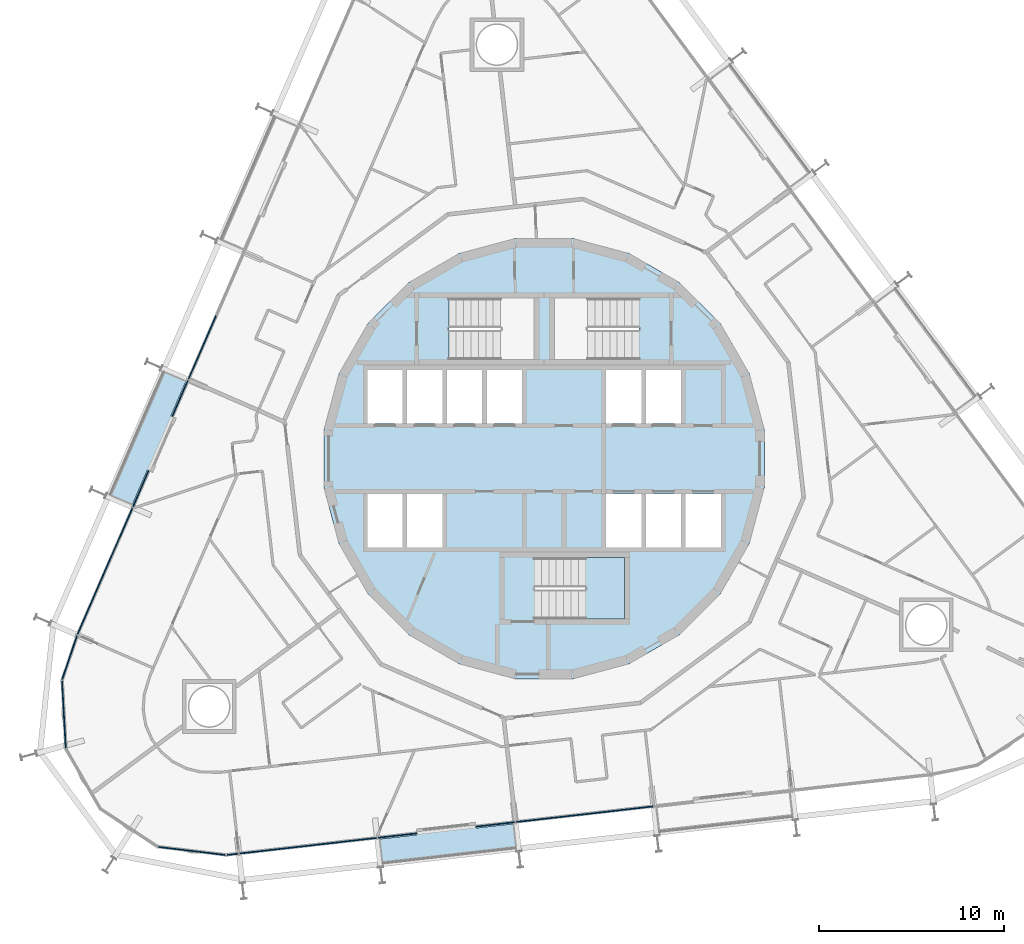
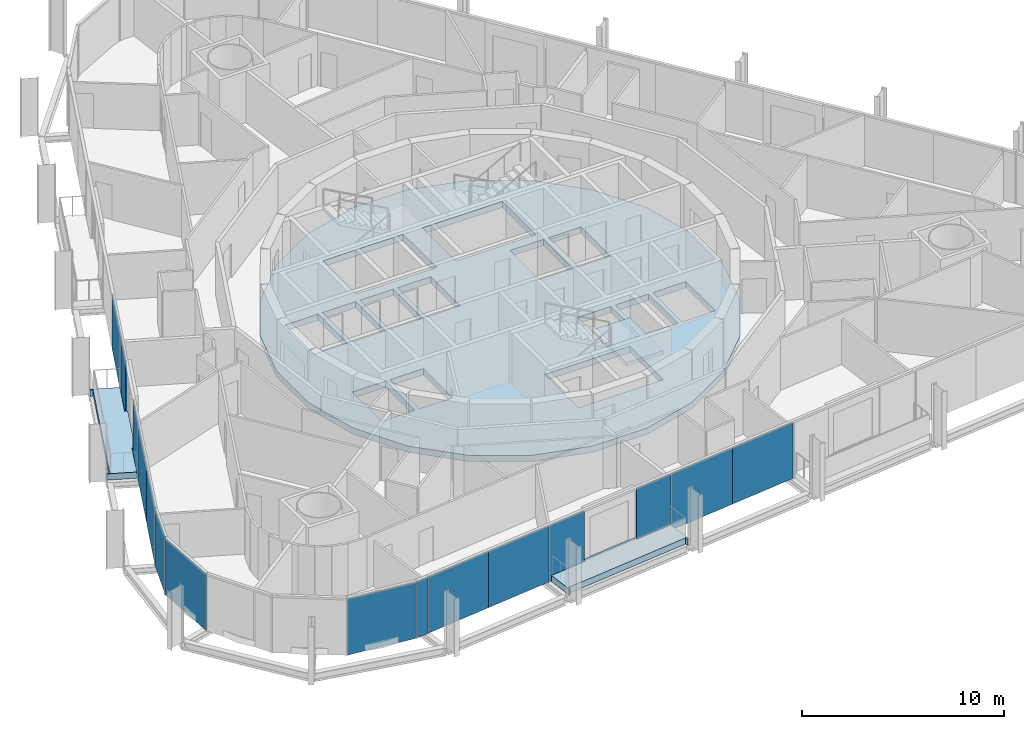
# One storey, part 13 of 23: 15 plates, 4 slabs, 4 elements without a shape of their own.
"""IFC4 building model written with IfcOpenShell, lengths in metres."""

from ifc_helpers import new_model, si_unit, direction, frame, origin, origin_2d, place, context, subcontext, project, spatial, polyline, rectangle, outline, extrude, material, layer, layer_set, type_object, element, aggregate, save


model = new_model("IFC4")

# Units and contexts
model_context = context("Model", 3, precision=1e-05, world=origin(), true_north=direction((0.0, 1.0)))
body_context = subcontext(model_context, "Body", "Model", "MODEL_VIEW")
ifc_project = project(units=[si_unit("LENGTHUNIT", "METRE"), si_unit("AREAUNIT", "SQUARE_METRE"), si_unit("VOLUMEUNIT", "CUBIC_METRE"), si_unit("PLANEANGLEUNIT", "RADIAN"), si_unit("MASSUNIT", "GRAM", prefix="KILO")], contexts=[model_context])

# Site, building, storey
site_placement = place(None, origin())
site = spatial("IfcSite", under=ifc_project, at=site_placement, CompositionType="ELEMENT")
building_placement = place(site_placement, origin())
building = spatial("IfcBuilding", under=site, at=building_placement, Name="Spindle Arch Residences", CompositionType="ELEMENT")
storey_placement = place(building_placement, frame((0.0, 0.0, 83.699951171875)))
storey = spatial("IfcBuildingStorey", under=building, at=storey_placement, Name="L19", CompositionType="ELEMENT", Elevation=83.699951171875)

# Slabs
ifc_material_1 = material(Name="Concrete C40/50", Category="concrete")
ifc_layer_1 = layer(ifc_material_1, 0.3798828125)
ifc_layer_set_1 = layer_set([ifc_layer_1], Name="Balcony slab 380")
slab_type_1 = type_object("IfcSlabType", Name="Balcony slab 380", PredefinedType="FLOOR", material=ifc_layer_set_1)
slab_1_placement = place(storey_placement, frame((0.0, 0.0, -0.3798828125)))
element("IfcSlab", 1, at=slab_1_placement, inside=storey, type_object=slab_type_1, Name="Balcony L19 bay 17", PredefinedType="FLOOR", context=body_context, shape_type="SweptSolid", body=[
    extrude(outline(polyline([(-20.702392578125, 4.820556640625), (-20.732421875, 4.751708984375), (-20.5947265625, 4.69189453125), (-23.47314453125, -1.92822265625), (-23.61083984375, -1.868408203125), (-23.640625, -1.937255859375), (-22.2744140625, -2.53125), (-21.443115234375, -0.619873046875), (-21.29638671875, -0.68359375), (-20.0205078125, 2.2509765625), (-20.167236328125, 2.314697265625), (-19.3359375, 4.226318359375), (-20.702392578125, 4.820556640625)])), origin(), (0.0, 0.0, 1.0), 0.3798828125),
])
slab_2_placement = place(storey_placement, frame((0.0, 0.0, -0.3798828125)))
element("IfcSlab", 2, at=slab_2_placement, inside=storey, type_object=slab_type_1, Name="Balcony L19 bay 23", PredefinedType="FLOOR", context=body_context, shape_type="SweptSolid", body=[
    extrude(outline(polyline([(-8.764404296875, -22.041259765625), (-8.68994140625, -22.032958984375), (-8.706787109375, -21.8837890625), (-1.534423828125, -21.066650390625), (-1.517578125, -21.215576171875), (-1.44287109375, -21.207275390625), (-1.611572265625, -19.726806640625), (-3.6826171875, -19.962646484375), (-3.70068359375, -19.8037109375), (-6.880126953125, -20.166015625), (-6.862060546875, -20.324951171875), (-8.93310546875, -20.56103515625), (-8.764404296875, -22.041259765625)])), origin(), (0.0, 0.0, 1.0), 0.3798828125),
])
ifc_material_2 = material(Name="Concrete C50/60", Category="concrete")
ifc_layer_2 = layer(ifc_material_2, 0.3798828125)
ifc_layer_set_2 = layer_set([ifc_layer_2], Name="Core floor slab 380")
slab_type_2 = type_object("IfcSlabType", Name="Core floor slab 380", PredefinedType="FLOOR", material=ifc_layer_set_2)
slab_3_placement = place(storey_placement, frame((0.0, 0.0, -0.3798828125)))
element("IfcSlab", 3, at=slab_3_placement, inside=storey, type_object=slab_type_2, Name="Core floor L19", PredefinedType="FLOOR", context=body_context, shape_type="SweptSolid", body=[
    extrude(outline(polyline([(1.56640625, -11.897216796875), (4.59228515625, -11.086669921875), (7.30517578125, -9.520263671875), (9.520263671875, -7.30517578125), (11.086669921875, -4.59228515625), (11.897216796875, -1.56640625), (11.897216796875, 1.56640625), (11.086669921875, 4.59228515625), (9.520263671875, 7.30517578125), (7.30517578125, 9.520263671875), (4.59228515625, 11.086669921875), (1.56640625, 11.897216796875), (-1.56640625, 11.897216796875), (-4.59228515625, 11.086669921875), (-7.30517578125, 9.520263671875), (-9.520263671875, 7.30517578125), (-11.086669921875, 4.59228515625), (-11.897216796875, 1.56640625), (-11.897216796875, -1.56640625), (-11.086669921875, -4.59228515625), (-9.520263671875, -7.30517578125), (-7.30517578125, -9.520263671875), (-4.59228515625, -11.086669921875), (-1.56640625, -11.897216796875), (1.56640625, -11.897216796875)]), holes=[polyline([(-9.550048828125, 1.89990234375), (-7.64990234375, 1.89990234375), (-7.64990234375, 4.800048828125), (-9.550048828125, 4.800048828125), (-9.550048828125, 1.89990234375)]), polyline([(-7.39990234375, 1.89990234375), (-5.5, 1.89990234375), (-5.5, 4.800048828125), (-7.39990234375, 4.800048828125), (-7.39990234375, 1.89990234375)]), polyline([(-5.25, 1.89990234375), (-3.35009765625, 1.89990234375), (-3.35009765625, 4.800048828125), (-5.25, 4.800048828125), (-5.25, 1.89990234375)]), polyline([(-3.10009765625, 1.89990234375), (-1.199951171875, 1.89990234375), (-1.199951171875, 4.800048828125), (-3.10009765625, 4.800048828125), (-3.10009765625, 1.89990234375)]), polyline([(3.35009765625, 1.89990234375), (5.25, 1.89990234375), (5.25, 4.800048828125), (3.35009765625, 4.800048828125), (3.35009765625, 1.89990234375)]), polyline([(5.5, 1.89990234375), (7.39990234375, 1.89990234375), (7.39990234375, 4.800048828125), (5.5, 4.800048828125), (5.5, 1.89990234375)]), polyline([(-9.550048828125, -4.800048828125), (-7.64990234375, -4.800048828125), (-7.64990234375, -1.89990234375), (-9.550048828125, -1.89990234375), (-9.550048828125, -4.800048828125)]), polyline([(-7.39990234375, -4.800048828125), (-5.5, -4.800048828125), (-5.5, -1.89990234375), (-7.39990234375, -1.89990234375), (-7.39990234375, -4.800048828125)]), polyline([(3.35009765625, -4.800048828125), (5.25, -4.800048828125), (5.25, -1.89990234375), (3.35009765625, -1.89990234375), (3.35009765625, -4.800048828125)]), polyline([(5.5, -4.800048828125), (7.39990234375, -4.800048828125), (7.39990234375, -1.89990234375), (5.5, -1.89990234375), (5.5, -4.800048828125)]), polyline([(7.64990234375, -4.800048828125), (9.550048828125, -4.800048828125), (9.550048828125, -1.89990234375), (7.64990234375, -1.89990234375), (7.64990234375, -4.800048828125)]), polyline([(5.1298828125, 8.669921875), (0.550048828125, 8.669921875), (0.550048828125, 5.35009765625), (5.1298828125, 5.35009765625), (5.1298828125, 8.669921875)]), polyline([(-5.1298828125, 5.35009765625), (-0.550048828125, 5.35009765625), (-0.550048828125, 8.669921875), (-5.1298828125, 8.669921875), (-5.1298828125, 5.35009765625)]), polyline([(-0.530029296875, -8.669921875), (4.35009765625, -8.669921875), (4.35009765625, -5.35009765625), (-0.530029296875, -5.35009765625), (-0.530029296875, -8.669921875)])]), origin(), (0.0, 0.0, 1.0), 0.3798828125),
])

# Stair, slab
ifc_material_3 = material(Name="Concrete C50/60", Category="concrete")
stair_type = type_object("IfcStairType", Name="Exit stair 16 risers", PredefinedType="HALF_TURN_STAIR", material=ifc_material_3)
stair_placement = place(storey_placement, origin())
stair = element("IfcStair", 4, at=stair_placement, inside=storey, type_object=stair_type, Name="L19 Exit stair ST3", PredefinedType="HALF_TURN_STAIR")
ifc_material_4 = material(Name="Concrete C50/60", Category="concrete")
ifc_layer_3 = layer(ifc_material_4, 0.219970703125)
ifc_layer_set_3 = layer_set([ifc_layer_3], Name="Exit stair landing 220")
slab_type_3 = type_object("IfcSlabType", Name="Exit stair landing 220", PredefinedType="LANDING", material=ifc_layer_set_3)
slab_4_placement = place(storey_placement, frame((0.0, 0.0, 1.530029296875)))
slab_4 = element("IfcSlab", 5, at=slab_4_placement, type_object=slab_type_3, Name="ST3 landing 1", PredefinedType="LANDING", context=body_context, shape_type="SweptSolid", body=[
    extrude(outline(polyline([(2.22998046875, -8.669921875), (4.35009765625, -8.669921875), (4.35009765625, -5.35009765625), (2.22998046875, -5.35009765625), (2.22998046875, -8.669921875)])), origin(), (0.0, 0.0, 1.0), 0.219970703125),
])
aggregate(stair, [slab_4])

# Curtain wall, plates
ifc_material_5 = material(Name="Aluminium bronze unitised frame with tinted glass", Category="aluminium")
ifc_layer_4 = layer(ifc_material_5, 0.159912109375)
ifc_layer_set_4 = layer_set([ifc_layer_4], Name="CW-C typical residential unitised wall")
curtain_wall_type_1 = type_object("IfcCurtainWallType", Name="CW-C typical residential unitised wall", PredefinedType="NOTDEFINED", material=ifc_layer_set_4)
curtain_wall_1_placement = place(storey_placement, origin())
curtain_wall_1 = element("IfcCurtainWall", 6, at=curtain_wall_1_placement, inside=storey, type_object=curtain_wall_type_1, Name="CW-C L19 run 4", PredefinedType="NOTDEFINED")
ifc_material_6 = material(Name="Tinted double glazing over aluminium faced non-combustible spandrel zone (K0)", Category="aluminium")
ifc_layer_5 = layer(ifc_material_6, 0.06005859375)
ifc_layer_set_5 = layer_set([ifc_layer_5], Name="Unitised glass panel with E 60 spandrel zone")
plate_type = type_object("IfcPlateType", Name="Unitised glass panel with E 60 spandrel zone", PredefinedType="CURTAIN_PANEL", material=ifc_layer_set_5)
plate_1_placement = place(storey_placement, frame((-18.477294921875, 6.000732421875, -0.3798828125), z_axis=(0.0, 0.0, 1.0), x_axis=(-0.398749068925, -0.917060074385, 0.0)))
plate_1 = element("IfcPlate", 7, at=plate_1_placement, type_object=plate_type, Name="CW-C unit 15B", PredefinedType="CURTAIN_PANEL", context=body_context, shape_type="SweptSolid", body=[
    extrude(rectangle(XDim=3.7294921875, YDim=0.06005859375, at=origin_2d()), origin(), (0.0, 0.0, 1.0), 3.3798828125),
])
plate_2_placement = place(storey_placement, frame((-19.669189453125, 3.25927734375, -0.3798828125), z_axis=(0.0, 0.0, 1.0), x_axis=(-0.398749068925, -0.917060074385, 0.0)))
plate_2 = element("IfcPlate", 8, at=plate_2_placement, type_object=plate_type, Name="CW-C unit 16L", PredefinedType="CURTAIN_PANEL", context=body_context, shape_type="SweptSolid", body=[
    extrude(rectangle(XDim=2.12939453125, YDim=0.06005859375, at=origin_2d()), origin(), (0.0, 0.0, 1.0), 3.3798828125),
])
plate_3_placement = place(storey_placement, frame((-21.79443359375, -1.628173828125, -0.3798828125), z_axis=(0.0, 0.0, 1.0), x_axis=(-0.398749068925, -0.917060074385, 0.0)))
plate_3 = element("IfcPlate", 9, at=plate_3_placement, type_object=plate_type, Name="CW-C unit 16R", PredefinedType="CURTAIN_PANEL", context=body_context, shape_type="SweptSolid", body=[
    extrude(rectangle(XDim=2.12939453125, YDim=0.06005859375, at=origin_2d()), origin(), (0.0, 0.0, 1.0), 3.3798828125),
])
plate_4_placement = place(storey_placement, frame((-22.986328125, -4.36962890625, -0.3798828125), z_axis=(0.0, 0.0, 1.0), x_axis=(-0.398749068925, -0.917060074385, 0.0)))
plate_4 = element("IfcPlate", 10, at=plate_4_placement, type_object=plate_type, Name="CW-C unit 17A", PredefinedType="CURTAIN_PANEL", context=body_context, shape_type="SweptSolid", body=[
    extrude(rectangle(XDim=3.7294921875, YDim=0.06005859375, at=origin_2d()), origin(), (0.0, 0.0, 1.0), 3.3798828125),
])
plate_5_placement = place(storey_placement, frame((-24.473388671875, -7.78955078125, -0.3798828125), z_axis=(0.0, 0.0, 1.0), x_axis=(-0.398749068925, -0.917060074385, 0.0)))
plate_5 = element("IfcPlate", 11, at=plate_5_placement, type_object=plate_type, Name="CW-C unit 17B", PredefinedType="CURTAIN_PANEL", context=body_context, shape_type="SweptSolid", body=[
    extrude(rectangle(XDim=3.7294921875, YDim=0.06005859375, at=origin_2d()), origin(), (0.0, 0.0, 1.0), 3.3798828125),
])
aggregate(curtain_wall_1, [plate_1, plate_2, plate_3, plate_4, plate_5])

ifc_material_7 = material(Name="Aluminium bronze unitised frame with tinted glass", Category="aluminium")
ifc_layer_6 = layer(ifc_material_7, 0.159912109375)
ifc_layer_set_6 = layer_set([ifc_layer_6], Name="CW-D corner wall on the fillet arcs")
curtain_wall_type_2 = type_object("IfcCurtainWallType", Name="CW-D corner wall on the fillet arcs", PredefinedType="NOTDEFINED", material=ifc_layer_set_6)
curtain_wall_2_placement = place(storey_placement, origin())
curtain_wall_2 = element("IfcCurtainWall", 12, at=curtain_wall_2_placement, inside=storey, type_object=curtain_wall_type_2, Name="CW-D L19 run 5", PredefinedType="NOTDEFINED")
plate_6_placement = place(storey_placement, frame((-25.640380859375, -10.746826171875, -0.3798828125), z_axis=(0.0, 0.0, 1.0), x_axis=(-0.319727106941, -0.947509671237, 0.0)))
plate_6 = element("IfcPlate", 13, at=plate_6_placement, type_object=plate_type, Name="CW-D unit 00", PredefinedType="CURTAIN_PANEL", context=body_context, shape_type="SweptSolid", body=[
    extrude(rectangle(XDim=2.51416015625, YDim=0.06005859375, at=origin_2d()), origin(), (0.0, 0.0, 1.0), 3.3798828125),
])
plate_7_placement = place(storey_placement, frame((-25.948974609375, -13.82666015625, -0.3798828125), z_axis=(0.0, 0.0, 1.0), x_axis=(0.055240622495, -0.998473071057, 0.0)))
plate_7 = element("IfcPlate", 14, at=plate_7_placement, type_object=plate_type, Name="CW-D unit 01", PredefinedType="CURTAIN_PANEL", context=body_context, shape_type="SweptSolid", body=[
    extrude(rectangle(XDim=3.666748046875, YDim=0.06005859375, at=origin_2d()), origin(), (0.0, 0.0, 1.0), 3.3798828125),
])
plate_8_placement = place(storey_placement, frame((-19.034423828125, -21.19873046875, -0.3798828125), z_axis=(0.0, 0.0, 1.0), x_axis=(0.992896454881, -0.118981636756, 0.0)))
plate_8 = element("IfcPlate", 15, at=plate_8_placement, type_object=plate_type, Name="CW-D unit 04", PredefinedType="CURTAIN_PANEL", context=body_context, shape_type="SweptSolid", body=[
    extrude(rectangle(XDim=3.666748046875, YDim=0.06005859375, at=origin_2d()), origin(), (0.0, 0.0, 1.0), 3.3798828125),
])
plate_9_placement = place(storey_placement, frame((-16.835693359375, -21.380859375, -0.3798828125), z_axis=(0.0, 0.0, 1.0), x_axis=(0.993571855677, 0.113203213768, 0.0)))
plate_9 = element("IfcPlate", 16, at=plate_9_placement, type_object=plate_type, Name="CW-D unit 05", PredefinedType="CURTAIN_PANEL", context=body_context, shape_type="SweptSolid", body=[
    extrude(rectangle(XDim=0.6416015625, YDim=0.06005859375, at=origin_2d()), origin(), (0.0, 0.0, 1.0), 3.3798828125),
])
aggregate(curtain_wall_2, [plate_6, plate_7, plate_8, plate_9])

curtain_wall_3_placement = place(storey_placement, origin())
curtain_wall_3 = element("IfcCurtainWall", 17, at=curtain_wall_3_placement, inside=storey, type_object=curtain_wall_type_1, Name="CW-C L19 run 6", PredefinedType="NOTDEFINED")
plate_10_placement = place(storey_placement, frame((-14.604736328125, -21.126708984375, -0.3798828125), z_axis=(0.0, 0.0, 1.0), x_axis=(0.993571855677, 0.113203213768, 0.0)))
plate_10 = element("IfcPlate", 18, at=plate_10_placement, type_object=plate_type, Name="CW-C unit 21A", PredefinedType="CURTAIN_PANEL", context=body_context, shape_type="SweptSolid", body=[
    extrude(rectangle(XDim=3.7294921875, YDim=0.06005859375, at=origin_2d()), origin(), (0.0, 0.0, 1.0), 3.3798828125),
])
plate_11_placement = place(storey_placement, frame((-10.899169921875, -20.704345703125, -0.3798828125), z_axis=(0.0, 0.0, 1.0), x_axis=(0.993571855677, 0.113203213768, 0.0)))
plate_11 = element("IfcPlate", 19, at=plate_11_placement, type_object=plate_type, Name="CW-C unit 21B", PredefinedType="CURTAIN_PANEL", context=body_context, shape_type="SweptSolid", body=[
    extrude(rectangle(XDim=3.7294921875, YDim=0.06005859375, at=origin_2d()), origin(), (0.0, 0.0, 1.0), 3.3798828125),
])
plate_12_placement = place(storey_placement, frame((-7.928955078125, -20.365966796875, -0.3798828125), z_axis=(0.0, 0.0, 1.0), x_axis=(0.993571855677, 0.113203213768, 0.0)))
plate_12 = element("IfcPlate", 20, at=plate_12_placement, type_object=plate_type, Name="CW-C unit 22L", PredefinedType="CURTAIN_PANEL", context=body_context, shape_type="SweptSolid", body=[
    extrude(rectangle(XDim=2.12939453125, YDim=0.06005859375, at=origin_2d()), origin(), (0.0, 0.0, 1.0), 3.3798828125),
])
plate_13_placement = place(storey_placement, frame((-2.6337890625, -19.7626953125, -0.3798828125), z_axis=(0.0, 0.0, 1.0), x_axis=(0.993571855677, 0.113203213768, 0.0)))
plate_13 = element("IfcPlate", 21, at=plate_13_placement, type_object=plate_type, Name="CW-C unit 22R", PredefinedType="CURTAIN_PANEL", context=body_context, shape_type="SweptSolid", body=[
    extrude(rectangle(XDim=2.12939453125, YDim=0.06005859375, at=origin_2d()), origin(), (0.0, 0.0, 1.0), 3.3798828125),
])
plate_14_placement = place(storey_placement, frame((0.33642578125, -19.42431640625, -0.3798828125), z_axis=(0.0, 0.0, 1.0), x_axis=(0.993571855677, 0.113203213768, 0.0)))
plate_14 = element("IfcPlate", 22, at=plate_14_placement, type_object=plate_type, Name="CW-C unit 23A", PredefinedType="CURTAIN_PANEL", context=body_context, shape_type="SweptSolid", body=[
    extrude(rectangle(XDim=3.7294921875, YDim=0.06005859375, at=origin_2d()), origin(), (0.0, 0.0, 1.0), 3.3798828125),
])
plate_15_placement = place(storey_placement, frame((4.041748046875, -19.002197265625, -0.3798828125), z_axis=(0.0, 0.0, 1.0), x_axis=(0.993571855677, 0.113203213768, 0.0)))
plate_15 = element("IfcPlate", 23, at=plate_15_placement, type_object=plate_type, Name="CW-C unit 23B", PredefinedType="CURTAIN_PANEL", context=body_context, shape_type="SweptSolid", body=[
    extrude(rectangle(XDim=3.7294921875, YDim=0.06005859375, at=origin_2d()), origin(), (0.0, 0.0, 1.0), 3.3798828125),
])
aggregate(curtain_wall_3, [plate_10, plate_11, plate_12, plate_13, plate_14, plate_15])

save(model, "model.ifc")
